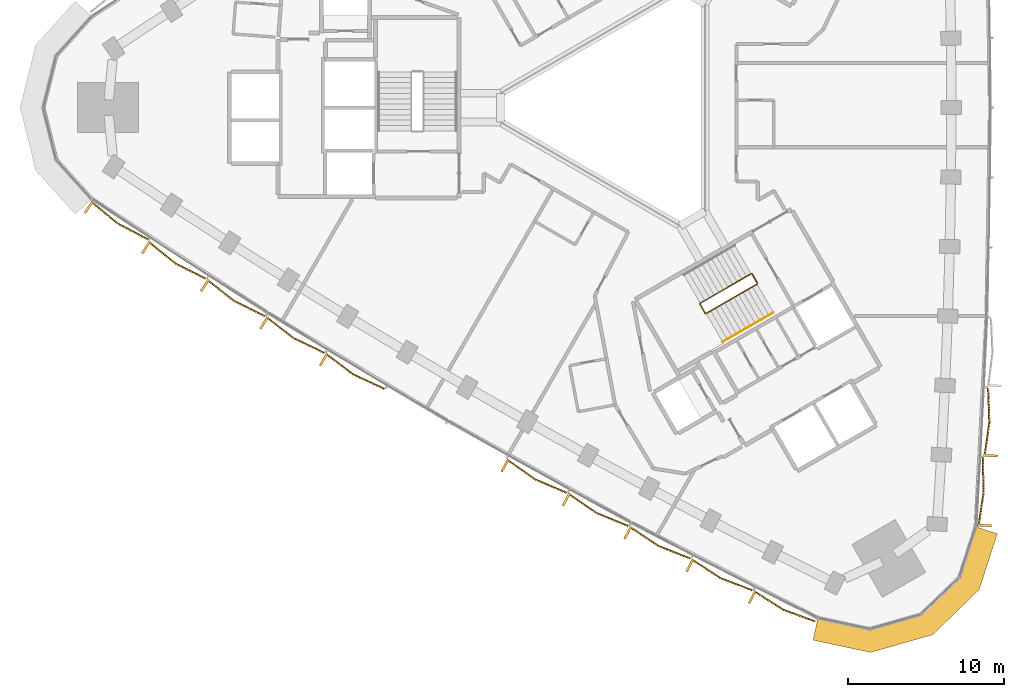
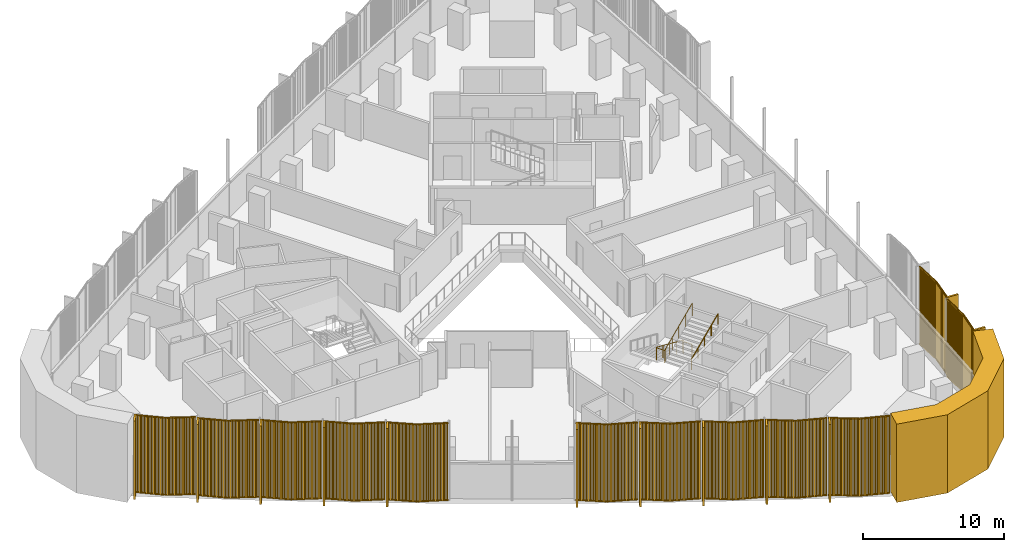
# One storey, part 12 of 15: 13 coverings, 2 railings.
"""IFC4 building model written with IfcOpenShell, lengths in metres."""

import ifcopenshell
import ifcopenshell.guid

model = None  # the IFC model being written
_history = None  # IfcOwnerHistory: only IFC2X3 demands one
_inside = {}  # id of a spatial element -> (the spatial element, [elements in it])
_under = {}  # id of a project, library or spatial element -> (it, [spatial elements below it])
_declared = {}  # id of a project -> (the project, [libraries it declares])
_typed = {}  # id of a type object -> (the type object, [elements of that type])
_made_of = {}  # id of a material, layer set ... -> (it, [elements and type objects made of it])


def new_model(schema):
    """Start an empty IFC model of exactly this schema.

    Asked for "IFC4X3", IfcOpenShell would pick the latest addendum, in which some entities
    have other attributes; the version numbers below select the first issue.
    IFC2X3 requires an IfcOwnerHistory on every rooted entity: one is made here for all.
    """
    global model, _history
    if schema == "IFC4X3":
        model = ifcopenshell.file(schema_version=(4, 3, 0, 0))
    else:
        model = ifcopenshell.file(schema=schema)
    _inside.clear()
    _under.clear()
    _declared.clear()
    _typed.clear()
    _made_of.clear()
    _history = None
    if model.schema == "IFC2X3":
        org = make("IfcOrganization", Name="unknown")
        user = make(
            "IfcPersonAndOrganization",
            ThePerson=make("IfcPerson", FamilyName="unknown"),
            TheOrganization=org,
        )
        app = make(
            "IfcApplication",
            ApplicationDeveloper=org,
            Version="unknown",
            ApplicationFullName="unknown",
            ApplicationIdentifier="unknown",
        )
        _history = make(
            "IfcOwnerHistory",
            OwningUser=user,
            OwningApplication=app,
            ChangeAction="ADDED",
            CreationDate=0,
        )
    return model


def make(cls, **values):
    """One entity of the class cls with the attributes given. An attribute that is None is left unset."""
    return model.create_entity(
        cls, **{name: value for name, value in values.items() if value is not None}
    )


def rooted(cls, **values):
    """An entity with a GlobalId (a new one), such as an element, a storey or a relation."""
    return make(cls, GlobalId=ifcopenshell.guid.new(), OwnerHistory=_history, **values)


def si_unit(unit_type, name, prefix=None):
    """IfcSIUnit, for example si_unit("LENGTHUNIT", "METRE", prefix="MILLI")."""
    return make("IfcSIUnit", UnitType=unit_type, Prefix=prefix, Name=name)


def assignment(units):
    """IfcUnitAssignment: the units of a project."""
    return None if units is None else make("IfcUnitAssignment", Units=units)


def point(xyz):
    """IfcCartesianPoint."""
    return None if xyz is None else make("IfcCartesianPoint", Coordinates=xyz)


def direction(xyz):
    """IfcDirection."""
    return None if xyz is None else make("IfcDirection", DirectionRatios=xyz)


def frame(location, z_axis=None, x_axis=None):
    """IfcAxis2Placement3D, a coordinate frame: its origin and axes. An axis left out is left unset."""
    return make(
        "IfcAxis2Placement3D",
        Location=point(location),
        Axis=direction(z_axis),
        RefDirection=direction(x_axis),
    )


def frame_2d(location, x_axis=None):
    """IfcAxis2Placement2D, a coordinate frame in the plane: its origin and x axis."""
    return make(
        "IfcAxis2Placement2D", Location=point(location), RefDirection=direction(x_axis)
    )


def origin():
    """The frame at (0, 0, 0) with its axes left unset."""
    return frame((0.0, 0.0, 0.0))


def origin_2d():
    """The frame at (0, 0) in the plane with its x axis left unset."""
    return frame_2d((0.0, 0.0))


def place(relative_to, where):
    """IfcLocalPlacement: puts the frame where relative to a parent placement (None: the world)."""
    return make(
        "IfcLocalPlacement", PlacementRelTo=relative_to, RelativePlacement=where
    )


def context(
    kind, dimensions, precision=None, world=None, true_north=None, identifier=None
):
    """IfcGeometricRepresentationContext, for example the 3D "Model" context."""
    return make(
        "IfcGeometricRepresentationContext",
        ContextIdentifier=identifier,
        ContextType=kind,
        CoordinateSpaceDimension=dimensions,
        Precision=precision,
        WorldCoordinateSystem=world,
        TrueNorth=true_north,
    )


def subcontext(parent, identifier, kind, view, scale=None):
    """IfcGeometricRepresentationSubContext, for example "Body" below "Model"."""
    return make(
        "IfcGeometricRepresentationSubContext",
        ContextIdentifier=identifier,
        ContextType=kind,
        ParentContext=parent,
        TargetScale=scale,
        TargetView=view,
    )


def project(units=None, contexts=None):
    """IfcProject with its units and contexts."""
    return rooted(
        "IfcProject",
        Name="project",
        RepresentationContexts=contexts,
        UnitsInContext=assignment(units),
    )


def spatial(cls, under=None, at=None, **own):
    """A site, building, storey or space (cls), placed at a placement, below another one or the project."""
    s = rooted(cls, ObjectPlacement=at, **own)
    if under is not None:
        _under.setdefault(under.id(), (under, []))[1].append(s)
    return s


def polyline(points):
    """IfcPolyline through the points."""
    return make("IfcPolyline", Points=[point(p) for p in points])


def profile(cls, at=None, kind="AREA", **sizes):
    """A parametric profile (cls). Its sizes go by their IFC names, for example OverallWidth=200.0."""
    return make(cls, ProfileType=kind, Position=at, **sizes)


def rectangle(**sizes):
    """IfcRectangleProfileDef."""
    return profile("IfcRectangleProfileDef", **sizes)


def circle(**sizes):
    """IfcCircleProfileDef."""
    return profile("IfcCircleProfileDef", **sizes)


def outline(outer, holes=None, kind="AREA"):
    """IfcArbitraryClosedProfileDef: a profile drawn as a closed curve; with holes, ...WithVoids."""
    if holes is None:
        return make("IfcArbitraryClosedProfileDef", ProfileType=kind, OuterCurve=outer)
    return make(
        "IfcArbitraryProfileDefWithVoids",
        ProfileType=kind,
        OuterCurve=outer,
        InnerCurves=holes,
    )


def extrude(swept, where, along, depth):
    """IfcExtrudedAreaSolid: the profile swept, set in the frame where, extruded along a direction by depth."""
    return make(
        "IfcExtrudedAreaSolid",
        SweptArea=swept,
        Position=where,
        ExtrudedDirection=direction(along),
        Depth=depth,
    )


def shape(context_of_items, identifier, shape_type, items):
    """IfcShapeRepresentation: the items that make up one representation, for example the "Body"."""
    return make(
        "IfcShapeRepresentation",
        ContextOfItems=context_of_items,
        RepresentationIdentifier=identifier,
        RepresentationType=shape_type,
        Items=items,
    )


def source(mapping_origin, context_of_items, identifier, shape_type, items):
    """IfcRepresentationMap: a shape defined once, which mapped items show again and again."""
    return make(
        "IfcRepresentationMap",
        MappingOrigin=mapping_origin,
        MappedRepresentation=shape(context_of_items, identifier, shape_type, items),
    )


def transform(
    local_origin,
    x_axis=None,
    y_axis=None,
    z_axis=None,
    scale=None,
    scale2=None,
    scale3=None,
    uniform=True,
):
    """IfcCartesianTransformationOperator3D, or its non-uniform kind. x_axis, y_axis, z_axis: its Axis1, 2, 3."""
    if uniform:
        return make(
            "IfcCartesianTransformationOperator3D",
            Axis1=direction(x_axis),
            Axis2=direction(y_axis),
            LocalOrigin=point(local_origin),
            Scale=scale,
            Axis3=direction(z_axis),
        )
    return make(
        "IfcCartesianTransformationOperator3DnonUniform",
        Axis1=direction(x_axis),
        Axis2=direction(y_axis),
        LocalOrigin=point(local_origin),
        Scale=scale,
        Axis3=direction(z_axis),
        Scale2=scale2,
        Scale3=scale3,
    )


def mapped(mapping_source, mapping_target):
    """IfcMappedItem: shows the shape of a source again, moved by a transform."""
    return make(
        "IfcMappedItem", MappingSource=mapping_source, MappingTarget=mapping_target
    )


def material(Name=None, Category=None):
    """IfcMaterial."""
    return make("IfcMaterial", Name=Name, Category=Category)


def layer(
    of_material, thickness, ventilated=None, Name=None, Category=None, Priority=None
):
    """IfcMaterialLayer: one layer of a wall or slab, of a material (None: an air gap)."""
    return make(
        "IfcMaterialLayer",
        Material=of_material,
        LayerThickness=thickness,
        IsVentilated=ventilated,
        Name=Name,
        Category=Category,
        Priority=Priority,
    )


def layer_set(layers, Name=None):
    """IfcMaterialLayerSet."""
    return make("IfcMaterialLayerSet", MaterialLayers=layers, LayerSetName=Name)


def made_of(thing, what):
    """Note that an element or type object is made of a material, layer set ...; save() writes the relation."""
    if what is not None:
        _made_of.setdefault(what.id(), (what, []))[1].append(thing)
    return thing


def type_object(cls, material=None, **own):
    """A type object (cls), such as IfcWallType, which elements share."""
    return made_of(rooted(cls, **own), material)


def element(
    cls,
    number,
    at=None,
    inside=None,
    cuts=None,
    type_object=None,
    material=None,
    context=None,
    identifier="Body",
    shape_type=None,
    held_by="IfcProductDefinitionShape",
    body=None,
    shapes=None,
    **own,
):
    """One element of the class cls, such as IfcWall. Its Tag is "e" and its number.

    at: its placement. inside: the storey or other place that contains it. cuts: it is an
    opening in that element (IfcRelVoidsElement). A single representation is given by context,
    identifier, shape_type and body (its items); several are given by shapes. held_by: the class
    of the entity that holds the representations. save() writes the other relations.
    """
    e = rooted(cls, Tag="e%d" % number, ObjectPlacement=at, **own)
    if body is not None:
        shapes = [shape(context, identifier, shape_type, body)]
    if shapes is not None:
        e.Representation = make(held_by, Representations=shapes)
    if inside is not None:
        _inside.setdefault(inside.id(), (inside, []))[1].append(e)
    if cuts is not None:
        rooted(
            "IfcRelVoidsElement", RelatingBuildingElement=cuts, RelatedOpeningElement=e
        )
    if type_object is not None:
        _typed.setdefault(type_object.id(), (type_object, []))[1].append(e)
    return made_of(e, material)


def aggregate(whole, parts):
    """IfcRelAggregates: a whole, such as a stair, and the parts it consists of."""
    return rooted("IfcRelAggregates", RelatingObject=whole, RelatedObjects=parts)


def save(model, path):
    """Write the relations noted so far, then the file.

    IfcRelAggregates (storeys below a building ...), IfcRelContainedInSpatialStructure (elements
    in a storey), IfcRelDefinesByType, IfcRelAssociatesMaterial and IfcRelDeclares: one each for
    every whole, place, type object, material and project.
    """
    for whole, parts in _under.values():
        aggregate(whole, parts)
    for where, things in _inside.values():
        rooted(
            "IfcRelContainedInSpatialStructure",
            RelatedElements=things,
            RelatingStructure=where,
        )
    for kind, things in _typed.values():
        rooted("IfcRelDefinesByType", RelatedObjects=things, RelatingType=kind)
    for what, things in _made_of.values():
        rooted("IfcRelAssociatesMaterial", RelatedObjects=things, RelatingMaterial=what)
    for by, libraries in _declared.values():
        rooted("IfcRelDeclares", RelatingContext=by, RelatedDefinitions=libraries)
    model.write(path)


model = new_model("IFC4")

# Units and contexts
model_context = context("Model", 3, precision=1e-05, world=origin(), true_north=direction((0.0, 1.0)))
body_context = subcontext(model_context, "Body", "Model", "MODEL_VIEW")
ifc_project = project(units=[si_unit("LENGTHUNIT", "METRE"), si_unit("AREAUNIT", "SQUARE_METRE"), si_unit("VOLUMEUNIT", "CUBIC_METRE"), si_unit("PLANEANGLEUNIT", "RADIAN"), si_unit("MASSUNIT", "GRAM", prefix="KILO")], contexts=[model_context])

# Site, building, storey
site_placement = place(None, origin())
site = spatial("IfcSite", under=ifc_project, at=site_placement, CompositionType="ELEMENT")
building_placement = place(site_placement, origin())
building = spatial("IfcBuilding", under=site, at=building_placement, Name="Tamra Quay Hotel Tower", CompositionType="ELEMENT")
storey_placement = place(building_placement, frame((0.0, 0.0, 90.199951171875)))
storey = spatial("IfcBuildingStorey", under=building, at=storey_placement, Name="L21", CompositionType="ELEMENT", Elevation=90.199951171875)

# Covering
ifc_material_1 = material(Name="Precast concrete M60 terracotta-coloured", Category="masonry")
ifc_layer = layer(ifc_material_1, 1.449951171875)
ifc_layer_set = layer_set([ifc_layer], Name="CORNER PIER PANEL")
covering_type_1 = type_object("IfcCoveringType", Name="CORNER PIER PANEL", PredefinedType="CLADDING", material=ifc_layer_set)
covering_placement = place(storey_placement, origin())
element("IfcCovering", 1, at=covering_placement, inside=storey, type_object=covering_type_1, Name="Corner pier L21.south-west", PredefinedType="CLADDING", context=body_context, shape_type="SweptSolid", body=[
    extrude(outline(polyline([(12.11181640625, -32.657470703125), (11.808349609375, -34.075439453125), (15.497314453125, -34.864501953125), (19.471923828125, -33.7265625), (22.44482421875, -30.853271484375), (23.60595703125, -27.26416015625), (22.226318359375, -26.81787109375), (21.1767578125, -30.062255859375), (18.724609375, -32.43212890625), (15.4462890625, -33.370849609375), (12.11181640625, -32.657470703125)])), origin(), (0.0, 0.0, 1.0), 6.775146484375),
])

# Railings
ifc_material_2 = material(Name="Stair guard 1100")
railing_type_1 = type_object("IfcRailingType", Name="Stair guard 1100", PredefinedType="GUARDRAIL", material=ifc_material_2)
railing_1_placement = place(storey_placement, frame((8.245849609375, -11.221923828125, 0.0)))
element("IfcRailing", 2, at=railing_1_placement, inside=storey, type_object=railing_type_1, Name="GR", PredefinedType="GUARDRAIL", context=body_context, shape_type="SweptSolid", body=[
    extrude(circle(Radius=0.02392578125, at=origin_2d()), frame((0.0, 0.0, 1.076171875), z_axis=(-0.500043078269, 0.866000531106, 0.0), x_axis=(-0.866000531106, -0.500043078269, 0.0)), (0.0, 0.0, 1.0), 0.6591796875),
    extrude(circle(Radius=0.02392578125, at=origin_2d()), frame((-0.32958984375, 0.57080078125, 1.076171875), z_axis=(-0.411831509231, 0.110312011401, 0.90455849349), x_axis=(-0.258736085224, -0.965948051503, 0.0)), (0.0, 0.0, 1.0), 0.166015625),
    extrude(circle(Radius=0.02392578125, at=origin_2d()), frame((-0.39794921875, 0.589111328125, 1.22607421875), z_axis=(-0.793100512587, -0.457912285461, 0.401631567183), x_axis=(0.500012686397, -0.866018079166, 0.0)), (0.0, 0.0, 1.0), 4.10791015625),
    extrude(circle(Radius=0.02392578125, at=origin_2d()), frame((-3.656005859375, -1.2919921875, 2.8759765625), z_axis=(-0.256368644879, -0.966579080015, 0.0), x_axis=(0.966579080015, -0.256368644879, 0.0)), (0.0, 0.0, 1.0), 0.070556640625),
    extrude(circle(Radius=0.02392578125, at=origin_2d()), frame((-3.674072265625, -1.360107421875, 2.8759765625), z_axis=(0.499765215335, -0.866160914346, 0.0), x_axis=(0.866160914346, 0.499765215335, 0.0)), (0.0, 0.0, 1.0), 0.658935546875),
    extrude(circle(Radius=0.02392578125, at=origin_2d()), frame((-3.3447265625, -1.930908203125, 2.8759765625), z_axis=(0.41238007866, -0.110458949641, 0.904290601062), x_axis=(0.258736085224, 0.965948051503, 0.0)), (0.0, 0.0, 1.0), 0.165771484375),
    extrude(circle(Radius=0.02392578125, at=origin_2d()), frame((-3.2763671875, -1.94921875, 3.02587890625), z_axis=(0.793081581205, 0.457901355053, 0.401681409319), x_axis=(-0.500012686397, 0.866018079166, 0.0)), (0.0, 0.0, 1.0), 4.108154296875),
    extrude(circle(Radius=0.02099609375, at=origin_2d()), origin(), (0.0, 0.0, 1.0), 1.052001953125),
    extrude(circle(Radius=0.02099609375, at=origin_2d()), frame((-0.32958984375, 0.57080078125, 0.0)), (0.0, 0.0, 1.0), 1.052001953125),
    extrude(circle(Radius=0.02099609375, at=origin_2d()), frame((-0.39794921875, 0.589111328125, 0.150146484375)), (0.0, 0.0, 1.0), 1.052001953125),
    extrude(circle(Radius=0.02099609375, at=origin_2d()), frame((-1.21240234375, 0.118896484375, 0.5625)), (0.0, 0.0, 1.0), 1.052001953125),
    extrude(circle(Radius=0.02099609375, at=origin_2d()), frame((-2.02685546875, -0.3515625, 0.97509765625)), (0.0, 0.0, 1.0), 1.052001953125),
    extrude(circle(Radius=0.02099609375, at=origin_2d()), frame((-2.841552734375, -0.82177734375, 1.3876953125)), (0.0, 0.0, 1.0), 1.052001953125),
    extrude(circle(Radius=0.02099609375, at=origin_2d()), frame((-3.656005859375, -1.2919921875, 1.800048828125)), (0.0, 0.0, 1.0), 1.052001953125),
    extrude(circle(Radius=0.02099609375, at=origin_2d()), frame((-3.674072265625, -1.360107421875, 1.800048828125)), (0.0, 0.0, 1.0), 1.052001953125),
    extrude(circle(Radius=0.02099609375, at=origin_2d()), frame((-3.3447265625, -1.930908203125, 1.800048828125)), (0.0, 0.0, 1.0), 1.052001953125),
    extrude(circle(Radius=0.02099609375, at=origin_2d()), frame((-3.2763671875, -1.94921875, 1.949951171875)), (0.0, 0.0, 1.0), 1.052001953125),
    extrude(circle(Radius=0.02099609375, at=origin_2d()), frame((-2.4619140625, -1.47900390625, 2.362548828125)), (0.0, 0.0, 1.0), 1.052001953125),
    extrude(circle(Radius=0.02099609375, at=origin_2d()), frame((-1.6474609375, -1.0087890625, 2.77490234375)), (0.0, 0.0, 1.0), 1.052001953125),
    extrude(circle(Radius=0.02099609375, at=origin_2d()), frame((-0.832763671875, -0.538330078125, 3.1875)), (0.0, 0.0, 1.0), 1.052001953125),
    extrude(circle(Radius=0.02099609375, at=origin_2d()), frame((-0.018310546875, -0.068115234375, 3.60009765625)), (0.0, 0.0, 1.0), 1.052001953125),
])
ifc_material_3 = material(Name="Stair handrail 900")
railing_type_2 = type_object("IfcRailingType", Name="Stair handrail 900", PredefinedType="HANDRAIL", material=ifc_material_3)
railing_2_placement = place(storey_placement, frame((6.01953125, -14.98974609375, 1.949951171875)))
element("IfcRailing", 3, at=railing_2_placement, inside=storey, type_object=railing_type_2, Name="HR", PredefinedType="HANDRAIL", context=body_context, shape_type="SweptSolid", body=[
    extrude(circle(Radius=0.02392578125, at=origin_2d()), frame((0.0, 0.0, 0.8759765625), z_axis=(0.793081112945, 0.457875966286, 0.40171127416), x_axis=(-0.499992114976, 0.866029956157, 0.0)), (0.0, 0.0, 1.0), 4.10791015625),
    extrude(circle(Radius=0.02099609375, at=origin_2d()), origin(), (0.0, 0.0, 1.0), 0.851806640625),
    extrude(circle(Radius=0.02099609375, at=origin_2d()), frame((0.814453125, 0.47021484375, 0.41259765625)), (0.0, 0.0, 1.0), 0.851806640625),
    extrude(circle(Radius=0.02099609375, at=origin_2d()), frame((1.62890625, 0.9404296875, 0.8251953125)), (0.0, 0.0, 1.0), 0.851806640625),
    extrude(circle(Radius=0.02099609375, at=origin_2d()), frame((2.443359375, 1.41064453125, 1.237548828125)), (0.0, 0.0, 1.0), 0.851806640625),
    extrude(circle(Radius=0.02099609375, at=origin_2d()), frame((3.2578125, 1.880859375, 1.650146484375)), (0.0, 0.0, 1.0), 0.851806640625),
])

# Coverings
ifc_material_4 = material(Name="Terracotta baguette extruded", Category="masonry")
covering_type_2 = type_object("IfcCoveringType", Name="BAGUETTE SCREEN E-V H6775", PredefinedType="USERDEFINED", material=ifc_material_4)
shared_shape_1 = source(origin(), body_context, "Body", "SweptSolid", [
    extrude(rectangle(XDim=2.200927734375, YDim=0.06005859375, at=frame_2d((1.1005859375, 0.030029296875))), frame((-2.19775390625, -0.057861328125, -0.1201171875), z_axis=(0.0, 0.0, 1.0), x_axis=(0.996194698092, -0.087155742748, 0.0)), (0.0, 0.0, 1.0), 0.1201171875),
    extrude(rectangle(XDim=2.200927734375, YDim=0.06005859375, at=frame_2d((1.1005859375, 0.030029296875))), frame((-2.19775390625, -0.057861328125, -6.77490234375), z_axis=(0.0, 0.0, 1.0), x_axis=(0.996194698092, -0.087155742748, 0.0)), (0.0, 0.0, 1.0), 0.1201171875),
    extrude(rectangle(XDim=0.070068359375, YDim=0.10009765625, at=frame_2d((0.03515625, 0.050048828125))), frame((-2.177734375, -0.13232421875, -6.715087890625)), (0.0, 0.0, 1.0), 6.655029296875),
    extrude(rectangle(XDim=0.070068359375, YDim=0.10009765625, at=frame_2d((0.03515625, 0.050048828125))), frame((-2.078125, -0.14111328125, -6.715087890625)), (0.0, 0.0, 1.0), 6.655029296875),
    extrude(rectangle(XDim=0.070068359375, YDim=0.10009765625, at=frame_2d((0.03515625, 0.050048828125))), frame((-1.978271484375, -0.14990234375, -6.715087890625)), (0.0, 0.0, 1.0), 6.655029296875),
    extrude(rectangle(XDim=0.070068359375, YDim=0.10009765625, at=frame_2d((0.03515625, 0.050048828125))), frame((-1.878662109375, -0.158447265625, -6.715087890625)), (0.0, 0.0, 1.0), 6.655029296875),
    extrude(rectangle(XDim=0.070068359375, YDim=0.10009765625, at=frame_2d((0.03515625, 0.050048828125))), frame((-1.779052734375, -0.167236328125, -6.715087890625)), (0.0, 0.0, 1.0), 6.655029296875),
    extrude(rectangle(XDim=0.070068359375, YDim=0.10009765625, at=frame_2d((0.03515625, 0.050048828125))), frame((-1.679443359375, -0.176025390625, -6.715087890625)), (0.0, 0.0, 1.0), 6.655029296875),
    extrude(rectangle(XDim=0.070068359375, YDim=0.10009765625, at=frame_2d((0.03515625, 0.050048828125))), frame((-1.579833984375, -0.1845703125, -6.715087890625)), (0.0, 0.0, 1.0), 6.655029296875),
    extrude(rectangle(XDim=0.070068359375, YDim=0.10009765625, at=frame_2d((0.03515625, 0.050048828125))), frame((-1.47998046875, -0.193359375, -6.715087890625)), (0.0, 0.0, 1.0), 6.655029296875),
    extrude(rectangle(XDim=0.070068359375, YDim=0.10009765625, at=frame_2d((0.03515625, 0.050048828125))), frame((-1.38037109375, -0.2021484375, -6.715087890625)), (0.0, 0.0, 1.0), 6.655029296875),
    extrude(rectangle(XDim=0.070068359375, YDim=0.10009765625, at=frame_2d((0.03515625, 0.050048828125))), frame((-1.28076171875, -0.2109375, -6.715087890625)), (0.0, 0.0, 1.0), 6.655029296875),
    extrude(rectangle(XDim=0.070068359375, YDim=0.10009765625, at=frame_2d((0.03515625, 0.050048828125))), frame((-1.18115234375, -0.219482421875, -6.715087890625)), (0.0, 0.0, 1.0), 6.655029296875),
    extrude(rectangle(XDim=0.070068359375, YDim=0.10009765625, at=frame_2d((0.03515625, 0.050048828125))), frame((-1.081298828125, -0.228271484375, -6.715087890625)), (0.0, 0.0, 1.0), 6.655029296875),
    extrude(rectangle(XDim=0.070068359375, YDim=0.10009765625, at=frame_2d((0.03515625, 0.050048828125))), frame((-0.981689453125, -0.237060546875, -6.715087890625)), (0.0, 0.0, 1.0), 6.655029296875),
    extrude(rectangle(XDim=0.070068359375, YDim=0.10009765625, at=frame_2d((0.03515625, 0.050048828125))), frame((-0.882080078125, -0.24560546875, -6.715087890625)), (0.0, 0.0, 1.0), 6.655029296875),
    extrude(rectangle(XDim=0.070068359375, YDim=0.10009765625, at=frame_2d((0.03515625, 0.050048828125))), frame((-0.782470703125, -0.25439453125, -6.715087890625)), (0.0, 0.0, 1.0), 6.655029296875),
    extrude(rectangle(XDim=0.070068359375, YDim=0.10009765625, at=frame_2d((0.03515625, 0.050048828125))), frame((-0.682861328125, -0.26318359375, -6.715087890625)), (0.0, 0.0, 1.0), 6.655029296875),
    extrude(rectangle(XDim=0.070068359375, YDim=0.10009765625, at=frame_2d((0.03515625, 0.050048828125))), frame((-0.583251953125, -0.27197265625, -6.715087890625)), (0.0, 0.0, 1.0), 6.655029296875),
    extrude(rectangle(XDim=0.070068359375, YDim=0.10009765625, at=frame_2d((0.03515625, 0.050048828125))), frame((-0.4833984375, -0.280517578125, -6.715087890625)), (0.0, 0.0, 1.0), 6.655029296875),
    extrude(rectangle(XDim=0.070068359375, YDim=0.10009765625, at=frame_2d((0.03515625, 0.050048828125))), frame((-0.3837890625, -0.289306640625, -6.715087890625)), (0.0, 0.0, 1.0), 6.655029296875),
    extrude(rectangle(XDim=0.070068359375, YDim=0.10009765625, at=frame_2d((0.03515625, 0.050048828125))), frame((-0.2841796875, -0.298095703125, -6.715087890625)), (0.0, 0.0, 1.0), 6.655029296875),
    extrude(rectangle(XDim=0.070068359375, YDim=0.10009765625, at=frame_2d((0.03515625, 0.050048828125))), frame((-0.1845703125, -0.306640625, -6.715087890625)), (0.0, 0.0, 1.0), 6.655029296875),
    extrude(rectangle(XDim=0.070068359375, YDim=0.10009765625, at=frame_2d((0.03515625, 0.050048828125))), frame((-0.084716796875, -0.3154296875, -6.715087890625)), (0.0, 0.0, 1.0), 6.655029296875),
    extrude(rectangle(XDim=2.200927734375, YDim=0.06005859375, at=frame_2d((1.1005859375, 0.030029296875))), frame((0.005126953125, -0.24951171875, -0.1201171875), z_axis=(0.0, 0.0, 1.0), x_axis=(0.996194698092, 0.087155742748, 0.0)), (0.0, 0.0, 1.0), 0.1201171875),
    extrude(rectangle(XDim=2.200927734375, YDim=0.06005859375, at=frame_2d((1.1005859375, 0.030029296875))), frame((0.005126953125, -0.24951171875, -6.77490234375), z_axis=(0.0, 0.0, 1.0), x_axis=(0.996194698092, 0.087155742748, 0.0)), (0.0, 0.0, 1.0), 0.1201171875),
    extrude(rectangle(XDim=0.070068359375, YDim=0.10009765625, at=frame_2d((0.03515625, 0.050048828125))), frame((0.014892578125, -0.3154296875, -6.715087890625)), (0.0, 0.0, 1.0), 6.655029296875),
    extrude(rectangle(XDim=0.070068359375, YDim=0.10009765625, at=frame_2d((0.03515625, 0.050048828125))), frame((0.114501953125, -0.306640625, -6.715087890625)), (0.0, 0.0, 1.0), 6.655029296875),
    extrude(rectangle(XDim=0.070068359375, YDim=0.10009765625, at=frame_2d((0.03515625, 0.050048828125))), frame((0.214111328125, -0.298095703125, -6.715087890625)), (0.0, 0.0, 1.0), 6.655029296875),
    extrude(rectangle(XDim=0.070068359375, YDim=0.10009765625, at=frame_2d((0.03515625, 0.050048828125))), frame((0.313720703125, -0.289306640625, -6.715087890625)), (0.0, 0.0, 1.0), 6.655029296875),
    extrude(rectangle(XDim=0.070068359375, YDim=0.10009765625, at=frame_2d((0.03515625, 0.050048828125))), frame((0.41357421875, -0.280517578125, -6.715087890625)), (0.0, 0.0, 1.0), 6.655029296875),
    extrude(rectangle(XDim=0.070068359375, YDim=0.10009765625, at=frame_2d((0.03515625, 0.050048828125))), frame((0.51318359375, -0.27197265625, -6.715087890625)), (0.0, 0.0, 1.0), 6.655029296875),
    extrude(rectangle(XDim=0.070068359375, YDim=0.10009765625, at=frame_2d((0.03515625, 0.050048828125))), frame((0.61279296875, -0.26318359375, -6.715087890625)), (0.0, 0.0, 1.0), 6.655029296875),
    extrude(rectangle(XDim=0.070068359375, YDim=0.10009765625, at=frame_2d((0.03515625, 0.050048828125))), frame((0.71240234375, -0.25439453125, -6.715087890625)), (0.0, 0.0, 1.0), 6.655029296875),
    extrude(rectangle(XDim=0.070068359375, YDim=0.10009765625, at=frame_2d((0.03515625, 0.050048828125))), frame((0.81201171875, -0.24560546875, -6.715087890625)), (0.0, 0.0, 1.0), 6.655029296875),
    extrude(rectangle(XDim=0.070068359375, YDim=0.10009765625, at=frame_2d((0.03515625, 0.050048828125))), frame((0.911865234375, -0.237060546875, -6.715087890625)), (0.0, 0.0, 1.0), 6.655029296875),
    extrude(rectangle(XDim=0.070068359375, YDim=0.10009765625, at=frame_2d((0.03515625, 0.050048828125))), frame((1.011474609375, -0.228271484375, -6.715087890625)), (0.0, 0.0, 1.0), 6.655029296875),
    extrude(rectangle(XDim=0.070068359375, YDim=0.10009765625, at=frame_2d((0.03515625, 0.050048828125))), frame((1.111083984375, -0.219482421875, -6.715087890625)), (0.0, 0.0, 1.0), 6.655029296875),
    extrude(rectangle(XDim=0.070068359375, YDim=0.10009765625, at=frame_2d((0.03515625, 0.050048828125))), frame((1.210693359375, -0.2109375, -6.715087890625)), (0.0, 0.0, 1.0), 6.655029296875),
    extrude(rectangle(XDim=0.070068359375, YDim=0.10009765625, at=frame_2d((0.03515625, 0.050048828125))), frame((1.310302734375, -0.2021484375, -6.715087890625)), (0.0, 0.0, 1.0), 6.655029296875),
    extrude(rectangle(XDim=0.070068359375, YDim=0.10009765625, at=frame_2d((0.03515625, 0.050048828125))), frame((1.41015625, -0.193359375, -6.715087890625)), (0.0, 0.0, 1.0), 6.655029296875),
    extrude(rectangle(XDim=0.070068359375, YDim=0.10009765625, at=frame_2d((0.03515625, 0.050048828125))), frame((1.509765625, -0.1845703125, -6.715087890625)), (0.0, 0.0, 1.0), 6.655029296875),
    extrude(rectangle(XDim=0.070068359375, YDim=0.10009765625, at=frame_2d((0.03515625, 0.050048828125))), frame((1.609375, -0.176025390625, -6.715087890625)), (0.0, 0.0, 1.0), 6.655029296875),
    extrude(rectangle(XDim=0.070068359375, YDim=0.10009765625, at=frame_2d((0.03515625, 0.050048828125))), frame((1.708984375, -0.167236328125, -6.715087890625)), (0.0, 0.0, 1.0), 6.655029296875),
    extrude(rectangle(XDim=0.070068359375, YDim=0.10009765625, at=frame_2d((0.03515625, 0.050048828125))), frame((1.80859375, -0.158447265625, -6.715087890625)), (0.0, 0.0, 1.0), 6.655029296875),
    extrude(rectangle(XDim=0.070068359375, YDim=0.10009765625, at=frame_2d((0.03515625, 0.050048828125))), frame((1.908447265625, -0.14990234375, -6.715087890625)), (0.0, 0.0, 1.0), 6.655029296875),
    extrude(rectangle(XDim=0.070068359375, YDim=0.10009765625, at=frame_2d((0.03515625, 0.050048828125))), frame((2.008056640625, -0.14111328125, -6.715087890625)), (0.0, 0.0, 1.0), 6.655029296875),
    extrude(rectangle(XDim=0.070068359375, YDim=0.10009765625, at=frame_2d((0.03515625, 0.050048828125))), frame((2.107666015625, -0.13232421875, -6.715087890625)), (0.0, 0.0, 1.0), 6.655029296875),
    extrude(rectangle(XDim=0.14990234375, YDim=0.902099609375, at=frame_2d((0.074951171875, 0.451171875))), frame((-2.1923828125, -0.89990234375, -6.77490234375)), (0.0, 0.0, 1.0), 6.77490234375),
])
for number, where, z_axis, x_axis, name in (
    (4, (22.474365234375, -24.5927734375, 6.775146484375), (0.0, 0.0, 1.0), (0.062669917068, 0.998034308776, 0.0), "Baguette screen L21.E.f00"),
    (5, (22.839111328125, -20.131591796875, 6.775146484375), (0.0, 0.0, 1.0), (0.051320736558, 0.998682222731, 0.0), "Baguette screen L21.E.f01"),
):
    element("IfcCovering", number, at=place(storey_placement, frame(where, z_axis=z_axis, x_axis=x_axis)), inside=storey, type_object=covering_type_2, Name=name, ObjectType="BAGUETTE SCREEN", PredefinedType="USERDEFINED", context=body_context, shape_type="MappedRepresentation", body=[
        mapped(shared_shape_1, transform((0.0, 0.0, 0.0), scale=1.0)),
    ])
covering_type_3 = type_object("IfcCoveringType", Name="BAGUETTE SCREEN SW-V H6775", PredefinedType="USERDEFINED", material=ifc_material_4)
shared_shape_2 = source(origin(), body_context, "Body", "SweptSolid", [
    extrude(rectangle(XDim=2.20458984375, YDim=0.06005859375, at=frame_2d((1.102294921875, 0.030029296875))), frame((-2.19873046875, -0.0576171875, -0.1201171875), z_axis=(0.0, 0.0, 1.0), x_axis=(0.994521895368, -0.104528463268, 0.0)), (0.0, 0.0, 1.0), 0.1201171875),
    extrude(rectangle(XDim=2.20458984375, YDim=0.06005859375, at=frame_2d((1.102294921875, 0.030029296875))), frame((-2.19873046875, -0.0576171875, -6.77490234375), z_axis=(0.0, 0.0, 1.0), x_axis=(0.994521895368, -0.104528463268, 0.0)), (0.0, 0.0, 1.0), 0.1201171875),
    extrude(rectangle(XDim=0.070068359375, YDim=0.10009765625, at=frame_2d((0.03515625, 0.050048828125))), frame((-2.177734375, -0.13330078125, -6.715087890625)), (0.0, 0.0, 1.0), 6.655029296875),
    extrude(rectangle(XDim=0.070068359375, YDim=0.10009765625, at=frame_2d((0.03515625, 0.050048828125))), frame((-2.078125, -0.143798828125, -6.715087890625)), (0.0, 0.0, 1.0), 6.655029296875),
    extrude(rectangle(XDim=0.070068359375, YDim=0.10009765625, at=frame_2d((0.03515625, 0.050048828125))), frame((-1.978271484375, -0.154296875, -6.715087890625)), (0.0, 0.0, 1.0), 6.655029296875),
    extrude(rectangle(XDim=0.070068359375, YDim=0.10009765625, at=frame_2d((0.03515625, 0.050048828125))), frame((-1.878662109375, -0.16455078125, -6.715087890625)), (0.0, 0.0, 1.0), 6.655029296875),
    extrude(rectangle(XDim=0.070068359375, YDim=0.10009765625, at=frame_2d((0.03515625, 0.050048828125))), frame((-1.779052734375, -0.175048828125, -6.715087890625)), (0.0, 0.0, 1.0), 6.655029296875),
    extrude(rectangle(XDim=0.070068359375, YDim=0.10009765625, at=frame_2d((0.03515625, 0.050048828125))), frame((-1.679443359375, -0.185546875, -6.715087890625)), (0.0, 0.0, 1.0), 6.655029296875),
    extrude(rectangle(XDim=0.070068359375, YDim=0.10009765625, at=frame_2d((0.03515625, 0.050048828125))), frame((-1.579833984375, -0.196044921875, -6.715087890625)), (0.0, 0.0, 1.0), 6.655029296875),
    extrude(rectangle(XDim=0.070068359375, YDim=0.10009765625, at=frame_2d((0.03515625, 0.050048828125))), frame((-1.47998046875, -0.20654296875, -6.715087890625)), (0.0, 0.0, 1.0), 6.655029296875),
    extrude(rectangle(XDim=0.070068359375, YDim=0.10009765625, at=frame_2d((0.03515625, 0.050048828125))), frame((-1.38037109375, -0.217041015625, -6.715087890625)), (0.0, 0.0, 1.0), 6.655029296875),
    extrude(rectangle(XDim=0.070068359375, YDim=0.10009765625, at=frame_2d((0.03515625, 0.050048828125))), frame((-1.28076171875, -0.2275390625, -6.715087890625)), (0.0, 0.0, 1.0), 6.655029296875),
    extrude(rectangle(XDim=0.070068359375, YDim=0.10009765625, at=frame_2d((0.03515625, 0.050048828125))), frame((-1.18115234375, -0.238037109375, -6.715087890625)), (0.0, 0.0, 1.0), 6.655029296875),
    extrude(rectangle(XDim=0.070068359375, YDim=0.10009765625, at=frame_2d((0.03515625, 0.050048828125))), frame((-1.081298828125, -0.24853515625, -6.715087890625)), (0.0, 0.0, 1.0), 6.655029296875),
    extrude(rectangle(XDim=0.070068359375, YDim=0.10009765625, at=frame_2d((0.03515625, 0.050048828125))), frame((-0.981689453125, -0.259033203125, -6.715087890625)), (0.0, 0.0, 1.0), 6.655029296875),
    extrude(rectangle(XDim=0.070068359375, YDim=0.10009765625, at=frame_2d((0.03515625, 0.050048828125))), frame((-0.882080078125, -0.26953125, -6.715087890625)), (0.0, 0.0, 1.0), 6.655029296875),
    extrude(rectangle(XDim=0.070068359375, YDim=0.10009765625, at=frame_2d((0.03515625, 0.050048828125))), frame((-0.782470703125, -0.27978515625, -6.715087890625)), (0.0, 0.0, 1.0), 6.655029296875),
    extrude(rectangle(XDim=0.070068359375, YDim=0.10009765625, at=frame_2d((0.03515625, 0.050048828125))), frame((-0.682861328125, -0.290283203125, -6.715087890625)), (0.0, 0.0, 1.0), 6.655029296875),
    extrude(rectangle(XDim=0.070068359375, YDim=0.10009765625, at=frame_2d((0.03515625, 0.050048828125))), frame((-0.583251953125, -0.30078125, -6.715087890625)), (0.0, 0.0, 1.0), 6.655029296875),
    extrude(rectangle(XDim=0.070068359375, YDim=0.10009765625, at=frame_2d((0.03515625, 0.050048828125))), frame((-0.4833984375, -0.311279296875, -6.715087890625)), (0.0, 0.0, 1.0), 6.655029296875),
    extrude(rectangle(XDim=0.070068359375, YDim=0.10009765625, at=frame_2d((0.03515625, 0.050048828125))), frame((-0.3837890625, -0.32177734375, -6.715087890625)), (0.0, 0.0, 1.0), 6.655029296875),
    extrude(rectangle(XDim=0.070068359375, YDim=0.10009765625, at=frame_2d((0.03515625, 0.050048828125))), frame((-0.2841796875, -0.332275390625, -6.715087890625)), (0.0, 0.0, 1.0), 6.655029296875),
    extrude(rectangle(XDim=0.070068359375, YDim=0.10009765625, at=frame_2d((0.03515625, 0.050048828125))), frame((-0.1845703125, -0.3427734375, -6.715087890625)), (0.0, 0.0, 1.0), 6.655029296875),
    extrude(rectangle(XDim=0.070068359375, YDim=0.10009765625, at=frame_2d((0.03515625, 0.050048828125))), frame((-0.084716796875, -0.353271484375, -6.715087890625)), (0.0, 0.0, 1.0), 6.655029296875),
    extrude(rectangle(XDim=2.20458984375, YDim=0.06005859375, at=frame_2d((1.102294921875, 0.030029296875))), frame((0.00634765625, -0.2880859375, -0.1201171875), z_axis=(0.0, 0.0, 1.0), x_axis=(0.994521895368, 0.104528463268, 0.0)), (0.0, 0.0, 1.0), 0.1201171875),
    extrude(rectangle(XDim=2.20458984375, YDim=0.06005859375, at=frame_2d((1.102294921875, 0.030029296875))), frame((0.00634765625, -0.2880859375, -6.77490234375), z_axis=(0.0, 0.0, 1.0), x_axis=(0.994521895368, 0.104528463268, 0.0)), (0.0, 0.0, 1.0), 0.1201171875),
    extrude(rectangle(XDim=0.070068359375, YDim=0.10009765625, at=frame_2d((0.03515625, 0.050048828125))), frame((0.014892578125, -0.353271484375, -6.715087890625)), (0.0, 0.0, 1.0), 6.655029296875),
    extrude(rectangle(XDim=0.070068359375, YDim=0.10009765625, at=frame_2d((0.03515625, 0.050048828125))), frame((0.114501953125, -0.3427734375, -6.715087890625)), (0.0, 0.0, 1.0), 6.655029296875),
    extrude(rectangle(XDim=0.070068359375, YDim=0.10009765625, at=frame_2d((0.03515625, 0.050048828125))), frame((0.214111328125, -0.332275390625, -6.715087890625)), (0.0, 0.0, 1.0), 6.655029296875),
    extrude(rectangle(XDim=0.070068359375, YDim=0.10009765625, at=frame_2d((0.03515625, 0.050048828125))), frame((0.313720703125, -0.32177734375, -6.715087890625)), (0.0, 0.0, 1.0), 6.655029296875),
    extrude(rectangle(XDim=0.070068359375, YDim=0.10009765625, at=frame_2d((0.03515625, 0.050048828125))), frame((0.41357421875, -0.311279296875, -6.715087890625)), (0.0, 0.0, 1.0), 6.655029296875),
    extrude(rectangle(XDim=0.070068359375, YDim=0.10009765625, at=frame_2d((0.03515625, 0.050048828125))), frame((0.51318359375, -0.30078125, -6.715087890625)), (0.0, 0.0, 1.0), 6.655029296875),
    extrude(rectangle(XDim=0.070068359375, YDim=0.10009765625, at=frame_2d((0.03515625, 0.050048828125))), frame((0.61279296875, -0.290283203125, -6.715087890625)), (0.0, 0.0, 1.0), 6.655029296875),
    extrude(rectangle(XDim=0.070068359375, YDim=0.10009765625, at=frame_2d((0.03515625, 0.050048828125))), frame((0.71240234375, -0.27978515625, -6.715087890625)), (0.0, 0.0, 1.0), 6.655029296875),
    extrude(rectangle(XDim=0.070068359375, YDim=0.10009765625, at=frame_2d((0.03515625, 0.050048828125))), frame((0.81201171875, -0.26953125, -6.715087890625)), (0.0, 0.0, 1.0), 6.655029296875),
    extrude(rectangle(XDim=0.070068359375, YDim=0.10009765625, at=frame_2d((0.03515625, 0.050048828125))), frame((0.911865234375, -0.259033203125, -6.715087890625)), (0.0, 0.0, 1.0), 6.655029296875),
    extrude(rectangle(XDim=0.070068359375, YDim=0.10009765625, at=frame_2d((0.03515625, 0.050048828125))), frame((1.011474609375, -0.24853515625, -6.715087890625)), (0.0, 0.0, 1.0), 6.655029296875),
    extrude(rectangle(XDim=0.070068359375, YDim=0.10009765625, at=frame_2d((0.03515625, 0.050048828125))), frame((1.111083984375, -0.238037109375, -6.715087890625)), (0.0, 0.0, 1.0), 6.655029296875),
    extrude(rectangle(XDim=0.070068359375, YDim=0.10009765625, at=frame_2d((0.03515625, 0.050048828125))), frame((1.210693359375, -0.2275390625, -6.715087890625)), (0.0, 0.0, 1.0), 6.655029296875),
    extrude(rectangle(XDim=0.070068359375, YDim=0.10009765625, at=frame_2d((0.03515625, 0.050048828125))), frame((1.310302734375, -0.217041015625, -6.715087890625)), (0.0, 0.0, 1.0), 6.655029296875),
    extrude(rectangle(XDim=0.070068359375, YDim=0.10009765625, at=frame_2d((0.03515625, 0.050048828125))), frame((1.41015625, -0.20654296875, -6.715087890625)), (0.0, 0.0, 1.0), 6.655029296875),
    extrude(rectangle(XDim=0.070068359375, YDim=0.10009765625, at=frame_2d((0.03515625, 0.050048828125))), frame((1.509765625, -0.196044921875, -6.715087890625)), (0.0, 0.0, 1.0), 6.655029296875),
    extrude(rectangle(XDim=0.070068359375, YDim=0.10009765625, at=frame_2d((0.03515625, 0.050048828125))), frame((1.609375, -0.185546875, -6.715087890625)), (0.0, 0.0, 1.0), 6.655029296875),
    extrude(rectangle(XDim=0.070068359375, YDim=0.10009765625, at=frame_2d((0.03515625, 0.050048828125))), frame((1.708984375, -0.175048828125, -6.715087890625)), (0.0, 0.0, 1.0), 6.655029296875),
    extrude(rectangle(XDim=0.070068359375, YDim=0.10009765625, at=frame_2d((0.03515625, 0.050048828125))), frame((1.80859375, -0.16455078125, -6.715087890625)), (0.0, 0.0, 1.0), 6.655029296875),
    extrude(rectangle(XDim=0.070068359375, YDim=0.10009765625, at=frame_2d((0.03515625, 0.050048828125))), frame((1.908447265625, -0.154296875, -6.715087890625)), (0.0, 0.0, 1.0), 6.655029296875),
    extrude(rectangle(XDim=0.070068359375, YDim=0.10009765625, at=frame_2d((0.03515625, 0.050048828125))), frame((2.008056640625, -0.143798828125, -6.715087890625)), (0.0, 0.0, 1.0), 6.655029296875),
    extrude(rectangle(XDim=0.070068359375, YDim=0.10009765625, at=frame_2d((0.03515625, 0.050048828125))), frame((2.107666015625, -0.13330078125, -6.715087890625)), (0.0, 0.0, 1.0), 6.655029296875),
    extrude(rectangle(XDim=0.14990234375, YDim=0.902099609375, at=frame_2d((0.074951171875, 0.451171875))), frame((-2.1923828125, -0.89990234375, -6.77490234375)), (0.0, 0.0, 1.0), 6.77490234375),
])
for number, where, z_axis, x_axis, name in (
    (6, (-32.53515625, -7.1669921875, 6.775146484375), (0.0, 0.0, 1.0), (0.832988106715, -0.553290894622, 0.0), "Baguette screen L21.SW.f00"),
    (7, (-28.854248046875, -9.71337890625, 6.775146484375), (0.0, 0.0, 1.0), (0.839223806914, -0.543786172966, 0.0), "Baguette screen L21.SW.f01"),
    (8, (-25.084228515625, -12.125732421875, 6.775146484375), (0.0, 0.0, 1.0), (0.845362307372, -0.534193381909, 0.0), "Baguette screen L21.SW.f02"),
    (9, (-21.287109375, -14.4951171875, 6.775146484375), (0.0, 0.0, 1.0), (0.851399310906, -0.524518077276, 0.0), "Baguette screen L21.SW.f03"),
    (10, (-17.463134765625, -16.82080078125, 6.775146484375), (0.0, 0.0, 1.0), (0.857331299736, -0.5147650362, 0.0), "Baguette screen L21.SW.f04"),
    (11, (-5.835693359375, -23.533935546875, 6.775146484375), (0.0, 0.0, 1.0), (0.874465248197, -0.485088166931, 0.0), "Baguette screen L21.SW.f07"),
    (12, (-1.909423828125, -25.6826171875, 6.775146484375), (0.0, 0.0, 1.0), (0.879945635118, -0.475074393371, 0.0), "Baguette screen L21.SW.f08"),
    (13, (2.041015625, -27.78662109375, 6.775146484375), (0.0, 0.0, 1.0), (0.885306192952, -0.465008542631, 0.0), "Baguette screen L21.SW.f09"),
    (14, (6.014892578125, -29.84521484375, 6.775146484375), (0.0, 0.0, 1.0), (0.890544543472, -0.454896049765, 0.0), "Baguette screen L21.SW.f10"),
    (15, (10.011962890625, -31.858154296875, 6.775146484375), (0.0, 0.0, 1.0), (0.895658023783, -0.444743414154, 0.0), "Baguette screen L21.SW.f11"),
):
    element("IfcCovering", number, at=place(storey_placement, frame(where, z_axis=z_axis, x_axis=x_axis)), inside=storey, type_object=covering_type_3, Name=name, ObjectType="BAGUETTE SCREEN", PredefinedType="USERDEFINED", context=body_context, shape_type="MappedRepresentation", body=[
        mapped(shared_shape_2, transform((0.0, 0.0, 0.0), scale=1.0)),
    ])

save(model, "model.ifc")
